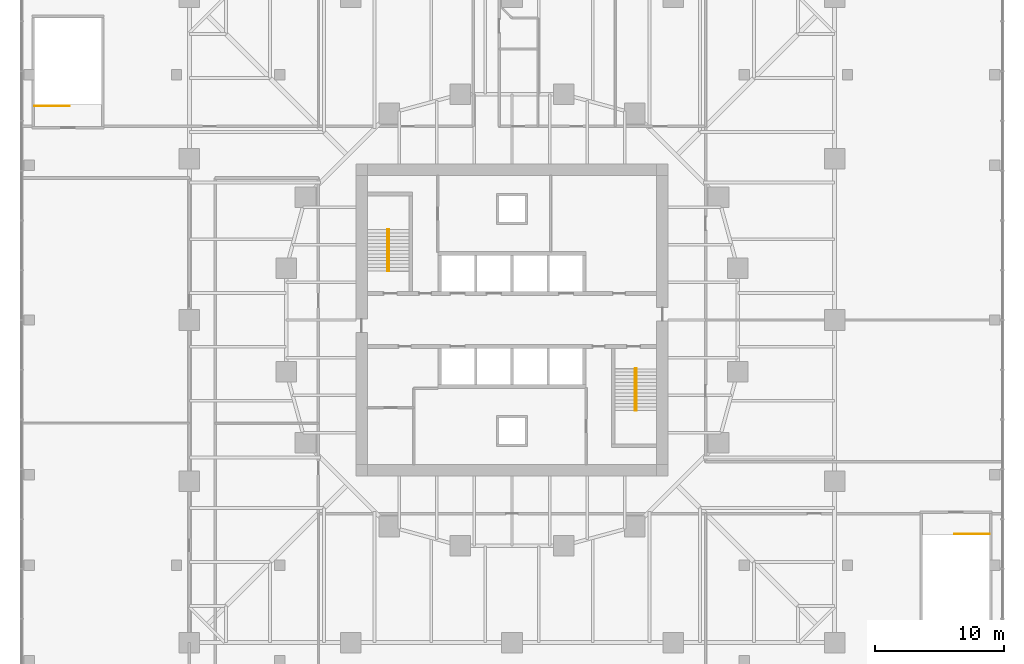
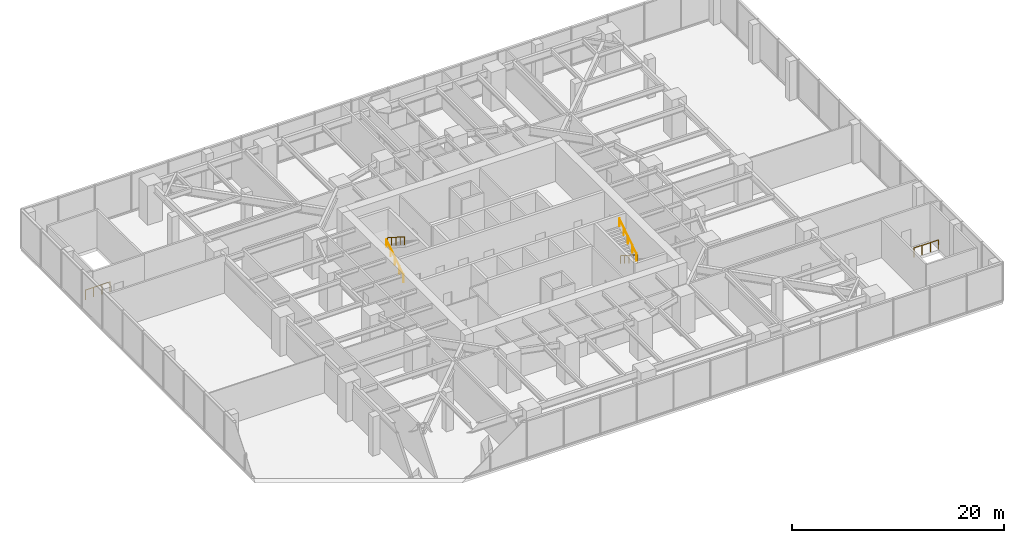
# One storey, part 14 of 14: 6 railings, 2 elements without a shape of their own.
"""IFC4 building model written with IfcOpenShell, lengths in metres."""

from ifc_helpers import new_model, si_unit, direction, frame, origin, origin_2d, place, context, subcontext, project, spatial, circle, extrude, material, type_object, element, aggregate, save


model = new_model("IFC4")

# Units and contexts
model_context = context("Model", 3, precision=1e-05, world=origin(), true_north=direction((0.0, 1.0)))
body_context = subcontext(model_context, "Body", "Model", "MODEL_VIEW")
ifc_project = project(units=[si_unit("LENGTHUNIT", "METRE"), si_unit("AREAUNIT", "SQUARE_METRE"), si_unit("VOLUMEUNIT", "CUBIC_METRE"), si_unit("PLANEANGLEUNIT", "RADIAN"), si_unit("MASSUNIT", "GRAM", prefix="KILO")], contexts=[model_context])

# Site, building, storey
site_placement = place(None, origin())
site = spatial("IfcSite", under=ifc_project, at=site_placement, CompositionType="ELEMENT")
building_placement = place(site_placement, origin())
building = spatial("IfcBuilding", under=site, at=building_placement, Name="Torsade Residences", CompositionType="ELEMENT")
storey_placement = place(building_placement, frame((0.0, 0.0, 10.5)))
storey = spatial("IfcBuildingStorey", under=building, at=storey_placement, Name="L02", CompositionType="ELEMENT", Elevation=10.5)

# Stair, railings
ifc_material_1 = material(Name="Precast concrete 40 MPa", Category="concrete")
stair_type = type_object("IfcStairType", Name="HALF-TURN FIRE STAIR 1500x4500", PredefinedType="HALF_TURN_STAIR", material=ifc_material_1)
stair_1_placement = place(storey_placement, origin())
stair_1 = element("IfcStair", 1, at=stair_1_placement, inside=storey, type_object=stair_type, Name="Stair ST1 L02", PredefinedType="HALF_TURN_STAIR")
ifc_material_2 = material(Name="Steel handrail", Category="steel")
railing_type_1 = type_object("IfcRailingType", Name="STAIR HANDRAIL 900", PredefinedType="HANDRAIL", material=ifc_material_2)
railing_1_placement = place(storey_placement, frame((30.35009765625, 33.780029296875, 0.173095703125)))
railing_1 = element("IfcRailing", 2, at=railing_1_placement, type_object=railing_type_1, Name="Handrail ST1 flight 1 L02", PredefinedType="HANDRAIL", context=body_context, shape_type="SweptSolid", body=[
    extrude(circle(Radius=0.02392578125, at=origin_2d()), frame((0.0, 0.0, 0.8759765625), z_axis=(0.0, 0.841880617004, 0.539663808971), x_axis=(-1.0, 0.0, 0.0)), (0.0, 0.0, 1.0), 3.8486328125),
    extrude(circle(Radius=0.02099609375, at=origin_2d()), origin(), (0.0, 0.0, 1.0), 0.851806640625),
    extrude(circle(Radius=0.02099609375, at=origin_2d()), frame((0.0, 0.81005859375, 0.519287109375)), (0.0, 0.0, 1.0), 0.851806640625),
    extrude(circle(Radius=0.02099609375, at=origin_2d()), frame((0.0, 1.6201171875, 1.03857421875)), (0.0, 0.0, 1.0), 0.851806640625),
    extrude(circle(Radius=0.02099609375, at=origin_2d()), frame((0.0, 2.429931640625, 1.5576171875)), (0.0, 0.0, 1.0), 0.851806640625),
    extrude(circle(Radius=0.02099609375, at=origin_2d()), frame((0.0, 3.239990234375, 2.076904296875)), (0.0, 0.0, 1.0), 0.851806640625),
])
railing_2_placement = place(storey_placement, frame((30.449951171875, 37.02001953125, 2.423095703125)))
railing_2 = element("IfcRailing", 3, at=railing_2_placement, type_object=railing_type_1, Name="Handrail ST1 flight 2 L02", PredefinedType="HANDRAIL", context=body_context, shape_type="SweptSolid", body=[
    extrude(circle(Radius=0.02392578125, at=origin_2d()), frame((0.0, 0.0, 0.8759765625), z_axis=(0.0, -0.841880617004, 0.539663808971), x_axis=(1.0, 0.0, 0.0)), (0.0, 0.0, 1.0), 3.8486328125),
    extrude(circle(Radius=0.02099609375, at=origin_2d()), origin(), (0.0, 0.0, 1.0), 0.851806640625),
    extrude(circle(Radius=0.02099609375, at=origin_2d()), frame((0.0, -0.81005859375, 0.519287109375)), (0.0, 0.0, 1.0), 0.851806640625),
    extrude(circle(Radius=0.02099609375, at=origin_2d()), frame((0.0, -1.6201171875, 1.03857421875)), (0.0, 0.0, 1.0), 0.851806640625),
    extrude(circle(Radius=0.02099609375, at=origin_2d()), frame((0.0, -2.429931640625, 1.5576171875)), (0.0, 0.0, 1.0), 0.851806640625),
    extrude(circle(Radius=0.02099609375, at=origin_2d()), frame((0.0, -3.239990234375, 2.076904296875)), (0.0, 0.0, 1.0), 0.851806640625),
])
aggregate(stair_1, [railing_1, railing_2])

stair_2_placement = place(storey_placement, origin())
stair_2 = element("IfcStair", 4, at=stair_2_placement, inside=storey, type_object=stair_type, Name="Stair ST2 L02", PredefinedType="HALF_TURN_STAIR")
railing_3_placement = place(storey_placement, frame((49.64990234375, 26.219970703125, 0.173095703125)))
railing_3 = element("IfcRailing", 5, at=railing_3_placement, type_object=railing_type_1, Name="Handrail ST2 flight 1 L02", PredefinedType="HANDRAIL", context=body_context, shape_type="SweptSolid", body=[
    extrude(circle(Radius=0.02392578125, at=origin_2d()), frame((0.0, 0.0, 0.8759765625), z_axis=(0.0, -0.841880617004, 0.539663808971), x_axis=(1.0, 0.0, 0.0)), (0.0, 0.0, 1.0), 3.8486328125),
    extrude(circle(Radius=0.02099609375, at=origin_2d()), origin(), (0.0, 0.0, 1.0), 0.851806640625),
    extrude(circle(Radius=0.02099609375, at=origin_2d()), frame((0.0, -0.81005859375, 0.519287109375)), (0.0, 0.0, 1.0), 0.851806640625),
    extrude(circle(Radius=0.02099609375, at=origin_2d()), frame((0.0, -1.6201171875, 1.03857421875)), (0.0, 0.0, 1.0), 0.851806640625),
    extrude(circle(Radius=0.02099609375, at=origin_2d()), frame((0.0, -2.429931640625, 1.5576171875)), (0.0, 0.0, 1.0), 0.851806640625),
    extrude(circle(Radius=0.02099609375, at=origin_2d()), frame((0.0, -3.239990234375, 2.076904296875)), (0.0, 0.0, 1.0), 0.851806640625),
])
railing_4_placement = place(storey_placement, frame((49.550048828125, 22.97998046875, 2.423095703125)))
railing_4 = element("IfcRailing", 6, at=railing_4_placement, type_object=railing_type_1, Name="Handrail ST2 flight 2 L02", PredefinedType="HANDRAIL", context=body_context, shape_type="SweptSolid", body=[
    extrude(circle(Radius=0.02392578125, at=origin_2d()), frame((0.0, 0.0, 0.8759765625), z_axis=(0.0, 0.841880617004, 0.539663808971), x_axis=(-1.0, 0.0, 0.0)), (0.0, 0.0, 1.0), 3.8486328125),
    extrude(circle(Radius=0.02099609375, at=origin_2d()), origin(), (0.0, 0.0, 1.0), 0.851806640625),
    extrude(circle(Radius=0.02099609375, at=origin_2d()), frame((0.0, 0.81005859375, 0.519287109375)), (0.0, 0.0, 1.0), 0.851806640625),
    extrude(circle(Radius=0.02099609375, at=origin_2d()), frame((0.0, 1.6201171875, 1.03857421875)), (0.0, 0.0, 1.0), 0.851806640625),
    extrude(circle(Radius=0.02099609375, at=origin_2d()), frame((0.0, 2.429931640625, 1.5576171875)), (0.0, 0.0, 1.0), 0.851806640625),
    extrude(circle(Radius=0.02099609375, at=origin_2d()), frame((0.0, 3.239990234375, 2.076904296875)), (0.0, 0.0, 1.0), 0.851806640625),
])
aggregate(stair_2, [railing_3, railing_4])

# Railings
ifc_material_3 = material(Name="Steel", Category="steel")
railing_type_2 = type_object("IfcRailingType", Name="STAIR WELL GUARD 1100", PredefinedType="GUARDRAIL", material=ifc_material_3)
railing_5_placement = place(storey_placement, frame((3.0, 46.580078125, 0.0)))
element("IfcRailing", 7, at=railing_5_placement, inside=storey, type_object=railing_type_2, Name="Stair well guard ST3 L02", PredefinedType="GUARDRAIL", context=body_context, shape_type="SweptSolid", body=[
    extrude(circle(Radius=0.02392578125, at=origin_2d()), frame((0.0, 0.0, 1.076171875), z_axis=(1.0, 0.0, 0.0), x_axis=(0.0, 1.0, 0.0)), (0.0, 0.0, 1.0), 2.699951171875),
    extrude(circle(Radius=0.02099609375, at=origin_2d()), origin(), (0.0, 0.0, 1.0), 1.052001953125),
    extrude(circle(Radius=0.02099609375, at=origin_2d()), frame((0.89990234375, 0.0, 0.0)), (0.0, 0.0, 1.0), 1.052001953125),
    extrude(circle(Radius=0.02099609375, at=origin_2d()), frame((1.800048828125, 0.0, 0.0)), (0.0, 0.0, 1.0), 1.052001953125),
    extrude(circle(Radius=0.02099609375, at=origin_2d()), frame((2.699951171875, 0.0, 0.0)), (0.0, 0.0, 1.0), 1.052001953125),
])
railing_6_placement = place(storey_placement, frame((77.0, 13.419921875, 0.0)))
element("IfcRailing", 8, at=railing_6_placement, inside=storey, type_object=railing_type_2, Name="Stair well guard ST4 L02", PredefinedType="GUARDRAIL", context=body_context, shape_type="SweptSolid", body=[
    extrude(circle(Radius=0.02392578125, at=origin_2d()), frame((0.0, 0.0, 1.076171875), z_axis=(-1.0, 0.0, 0.0), x_axis=(0.0, -1.0, 0.0)), (0.0, 0.0, 1.0), 2.699951171875),
    extrude(circle(Radius=0.02099609375, at=origin_2d()), origin(), (0.0, 0.0, 1.0), 1.052001953125),
    extrude(circle(Radius=0.02099609375, at=origin_2d()), frame((-0.89990234375, 0.0, 0.0)), (0.0, 0.0, 1.0), 1.052001953125),
    extrude(circle(Radius=0.02099609375, at=origin_2d()), frame((-1.800048828125, 0.0, 0.0)), (0.0, 0.0, 1.0), 1.052001953125),
    extrude(circle(Radius=0.02099609375, at=origin_2d()), frame((-2.699951171875, 0.0, 0.0)), (0.0, 0.0, 1.0), 1.052001953125),
])

save(model, "model.ifc")
